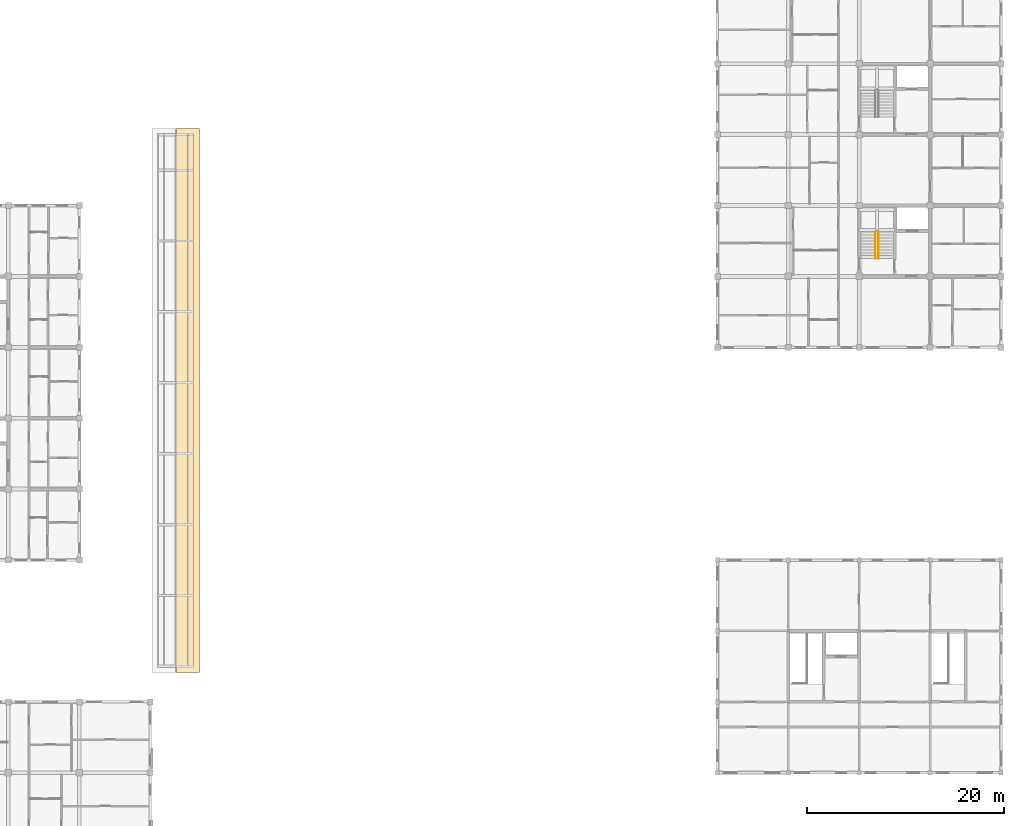
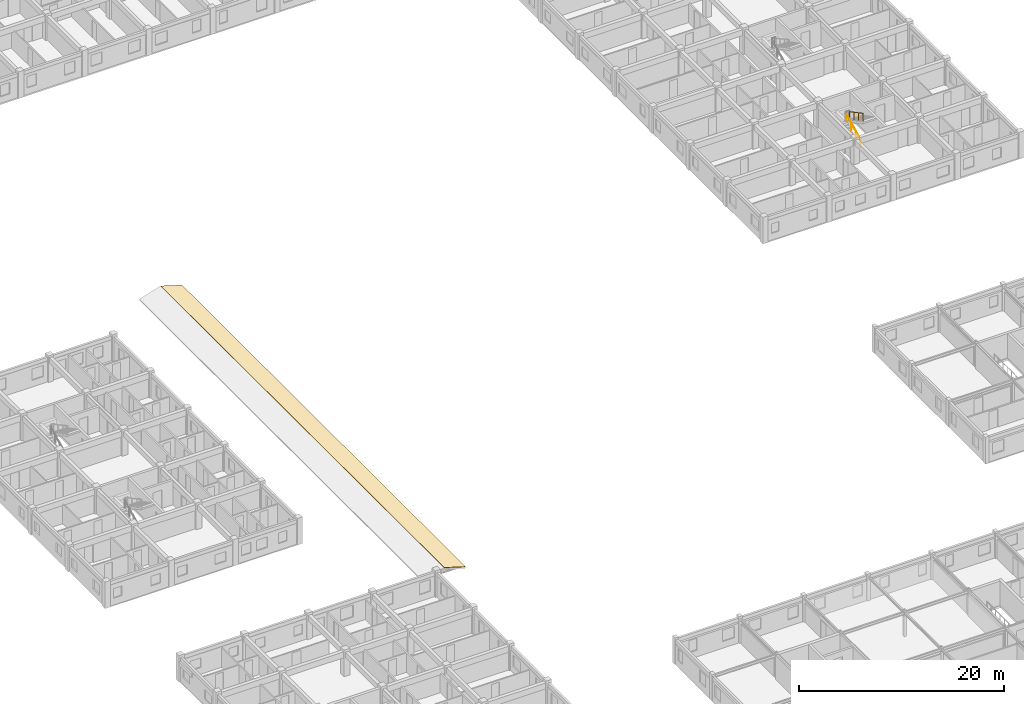
# One storey, part 48 of 50: 2 railings, 1 covering.
"""IFC4 building model written with IfcOpenShell, lengths in metres."""

from ifc_helpers import new_model, si_unit, direction, frame, origin, origin_2d, place, context, subcontext, project, spatial, polyline, circle, outline, extrude, material, layer, layer_set, type_object, element, save


model = new_model("IFC4")

# Units and contexts
model_context = context("Model", 3, precision=1e-05, world=origin(), true_north=direction((0.0, 1.0)))
body_context = subcontext(model_context, "Body", "Model", "MODEL_VIEW")
ifc_project = project(units=[si_unit("LENGTHUNIT", "METRE"), si_unit("AREAUNIT", "SQUARE_METRE"), si_unit("VOLUMEUNIT", "CUBIC_METRE"), si_unit("PLANEANGLEUNIT", "RADIAN"), si_unit("MASSUNIT", "GRAM", prefix="KILO"), si_unit("THERMODYNAMICTEMPERATUREUNIT", "KELVIN"), si_unit("POWERUNIT", "WATT")], contexts=[model_context])

# Site, building, storey
site_placement = place(None, origin())
site = spatial("IfcSite", under=ifc_project, at=site_placement, CompositionType="ELEMENT")
building_placement = place(site_placement, origin())
building = spatial("IfcBuilding", under=site, at=building_placement, Name="Tavuni Mirador Residences", CompositionType="ELEMENT")
storey_placement = place(building_placement, frame((0.0, 0.0, 4.5)))
storey = spatial("IfcBuildingStorey", under=building, at=storey_placement, Name="L01", CompositionType="ELEMENT", Elevation=4.5)

# Covering
ifc_material_1 = material(Name="Glazed ceramic roof tile", Category="masonry")
ifc_layer = layer(ifc_material_1, 0.044921875, Name="Glazed ceramic roof tile", Category="masonry")
ifc_layer_set = layer_set([ifc_layer], Name="Glazed ceramic roof tile")
covering_type = type_object("IfcCoveringType", Name="CVT-ROOF-TILE", PredefinedType="ROOFING", material=ifc_layer_set)
covering_placement = place(storey_placement, frame((35.011962890625, 53.39990234375, 0.52490234375), z_axis=(0.292340248807, 0.0, 0.956314372436), x_axis=(0.956314372436, 0.0, -0.292340248807)))
element("IfcCovering", 1, at=covering_placement, inside=storey, type_object=covering_type, Name="COV-RF-COLO-EAST", PredefinedType="ROOFING", context=body_context, shape_type="SweptSolid", body=[
    extrude(outline(polyline([(0.0, 0.0), (2.4970234913887763, 0.0), (2.4970234913887763, 55.2001953125), (0.0, 55.2001953125), (0.0, 0.0)])), origin(), (0.0, 0.0, -1.0), 0.044921875),
])

# Railings
ifc_material_2 = material(Name="Structural steel S355", Category="steel")
railing_type = type_object("IfcRailingType", Name="RT-HR920", PredefinedType="HANDRAIL", material=ifc_material_2)
railing_1_placement = place(storey_placement, frame((106.050048828125, 95.39990234375, 0.157470703125)))
element("IfcRailing", 2, at=railing_1_placement, inside=storey, type_object=railing_type, Name="HR-ST7-L01-F1", PredefinedType="HANDRAIL", context=body_context, shape_type="SweptSolid", body=[
    extrude(circle(Radius=0.02392578125, at=origin_2d()), frame((0.0, 0.0, 0.89599609375), z_axis=(0.0, 0.885414376231, 0.464802519747), x_axis=(-1.0, 0.0, 0.0)), (0.0, 0.0, 1.0), 3.049560546875),
    extrude(circle(Radius=0.02099609375, at=origin_2d()), origin(), (0.0, 0.0, 1.0), 0.871826171875),
    extrude(circle(Radius=0.02099609375, at=origin_2d()), frame((0.0, 0.900146484375, 0.472412109375)), (0.0, 0.0, 1.0), 0.871826171875),
    extrude(circle(Radius=0.02099609375, at=origin_2d()), frame((0.0, 1.800048828125, 0.945068359375)), (0.0, 0.0, 1.0), 0.871826171875),
    extrude(circle(Radius=0.02099609375, at=origin_2d()), frame((0.0, 2.7001953125, 1.41748046875)), (0.0, 0.0, 1.0), 0.871826171875),
])
railing_2_placement = place(storey_placement, frame((106.35009765625, 98.10009765625, 1.732421875)))
element("IfcRailing", 3, at=railing_2_placement, inside=storey, type_object=railing_type, Name="HR-ST7-L01-F2", PredefinedType="HANDRAIL", context=body_context, shape_type="SweptSolid", body=[
    extrude(circle(Radius=0.02392578125, at=origin_2d()), frame((0.0, 0.0, 0.89599609375), z_axis=(0.0, -0.885414376231, 0.464802519747), x_axis=(1.0, 0.0, 0.0)), (0.0, 0.0, 1.0), 3.049560546875),
    extrude(circle(Radius=0.02099609375, at=origin_2d()), origin(), (0.0, 0.0, 1.0), 0.871826171875),
    extrude(circle(Radius=0.02099609375, at=origin_2d()), frame((0.0, -0.900146484375, 0.472412109375)), (0.0, 0.0, 1.0), 0.871826171875),
    extrude(circle(Radius=0.02099609375, at=origin_2d()), frame((0.0, -1.800048828125, 0.945068359375)), (0.0, 0.0, 1.0), 0.871826171875),
    extrude(circle(Radius=0.02099609375, at=origin_2d()), frame((0.0, -2.7001953125, 1.41748046875)), (0.0, 0.0, 1.0), 0.871826171875),
])

save(model, "model.ifc")
